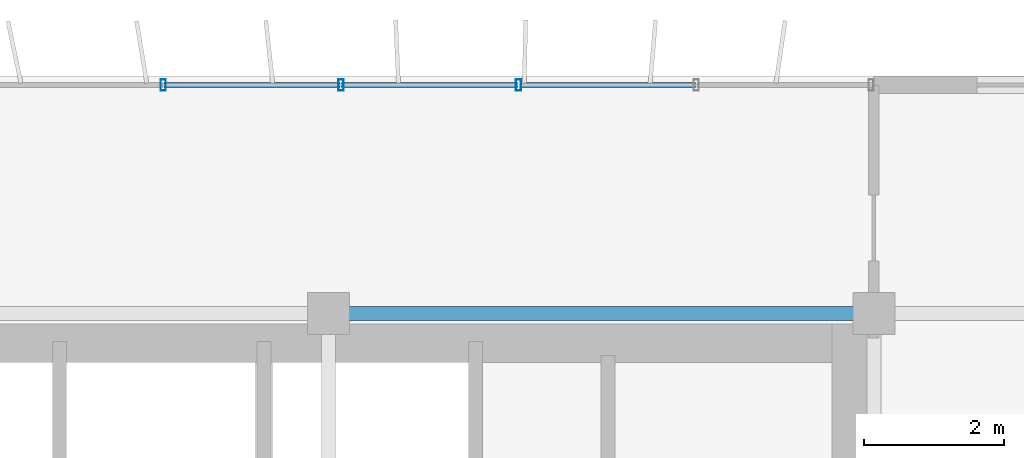
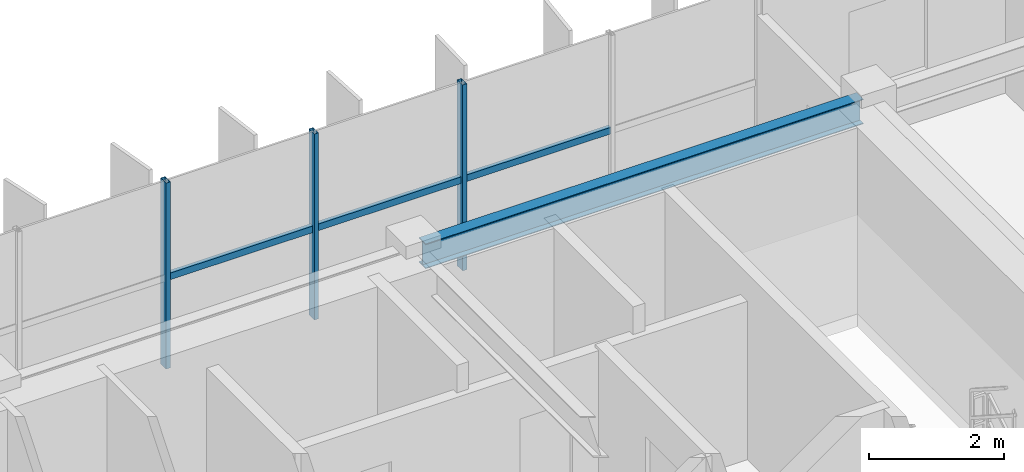
# One storey, part 12 of 21: 6 members, 1 beam, 1 element without a shape of its own.
"""IFC4 building model written with IfcOpenShell, lengths in metres."""

from ifc_helpers import new_model, si_unit, direction, frame, origin, origin_2d, place, context, subcontext, project, spatial, hollow_rectangle, i_section, extrude, source, transform, mapped, material, material_profile, profile_set, type_object, element, aggregate, save


model = new_model("IFC4")

# Units and contexts
model_context = context("Model", 3, precision=1e-05, world=origin(), true_north=direction((0.0, 1.0)))
body_context = subcontext(model_context, "Body", "Model", "MODEL_VIEW")
ifc_project = project(units=[si_unit("LENGTHUNIT", "METRE"), si_unit("AREAUNIT", "SQUARE_METRE"), si_unit("VOLUMEUNIT", "CUBIC_METRE"), si_unit("PLANEANGLEUNIT", "RADIAN"), si_unit("MASSUNIT", "GRAM", prefix="KILO")], contexts=[model_context])

# Site, building, storey
site_placement = place(None, origin())
site = spatial("IfcSite", under=ifc_project, at=site_placement, CompositionType="ELEMENT")
building_placement = place(site_placement, origin())
building = spatial("IfcBuilding", under=site, at=building_placement, Name="Trelvane Seafront Commons", CompositionType="ELEMENT")
storey_placement = place(building_placement, frame((0.0, 0.0, 252.300048828125)))
storey = spatial("IfcBuildingStorey", under=building, at=storey_placement, Name="L65", CompositionType="ELEMENT", Elevation=252.300048828125)

# Beam
ifc_material_1 = material(Name="Steel SM355 (S355)", Category="steel")
ifc_material_profile_1 = material_profile(ifc_material_1, i_section(OverallWidth=0.199951171875, OverallDepth=0.449951171875, WebThickness=0.009033203125, FlangeThickness=0.013916015625, at=origin_2d()), Name="H-450x200x9x14")
ifc_profile_set_1 = profile_set([ifc_material_profile_1], Name="Steel SM355 (S355)")
beam_type = type_object("IfcBeamType", Name="STR-SPD-H450", PredefinedType="SPANDREL", material=ifc_profile_set_1)
shared_shape_1 = source(origin(), body_context, "Body", "SweptSolid", [
    extrude(i_section(OverallWidth=0.199951171875, OverallDepth=0.449951171875, WebThickness=0.009033203125, FlangeThickness=0.013916015625, at=origin_2d()), origin(), (0.0, 0.0, 1.0), 7.5),
])
beam_placement = place(storey_placement, frame((51.14990234375, 45.10009765625, 3.14501953125), z_axis=(1.0, 0.0, 0.0), x_axis=(0.0, 1.0, 0.0)))
element("IfcBeam", 1, at=beam_placement, inside=storey, type_object=beam_type, Name="L65 Primary Girder G-27", PredefinedType="SPANDREL", context=body_context, shape_type="MappedRepresentation", body=[
    mapped(shared_shape_1, transform((0.0, 0.0, 0.0), x_axis=(1.0, 0.0, 0.0), y_axis=(0.0, 1.0, 0.0), z_axis=(0.0, 0.0, 1.0), scale=1.0)),
])

# Curtain wall, members
ifc_material_2 = material(Name="Anodised pale-silver aluminium", Category="aluminium")
curtain_wall_type = type_object("IfcCurtainWallType", Name="ARCH-CW5-UPTOWER", PredefinedType="NOTDEFINED", material=ifc_material_2)
curtain_wall_placement = place(storey_placement, origin())
curtain_wall = element("IfcCurtainWall", 2, at=curtain_wall_placement, inside=storey, type_object=curtain_wall_type, Name="CW-L65-0109", PredefinedType="NOTDEFINED")
ifc_material_profile_2 = material_profile(ifc_material_2, hollow_rectangle(XDim=0.070068359375, YDim=0.1201171875, WallThickness=0.00390625, at=origin_2d()), Name="TRAN-70x120x4")
ifc_profile_set_2 = profile_set([ifc_material_profile_2], Name="Anodised pale-silver aluminium")
member_type_1 = type_object("IfcMemberType", Name="ARCH-CW-TRAN-120", PredefinedType="USERDEFINED", material=ifc_profile_set_2)
shared_shape_2 = source(origin(), body_context, "Body", "SweptSolid", [
    extrude(hollow_rectangle(XDim=0.070068359375, YDim=0.1201171875, WallThickness=0.00390625, at=origin_2d()), origin(), (0.0, 0.0, 1.0), 2.51708984375),
])
member_1_placement = place(storey_placement, frame((51.1884765625, 48.3701171875, 1.617919921875), z_axis=(1.0, 0.0, 0.0), x_axis=(0.0, 1.0, 0.0)))
member_1 = element("IfcMember", 3, at=member_1_placement, type_object=member_type_1, Name="CW-L65-0109-T14", ObjectType="TRANSOM", PredefinedType="USERDEFINED", context=body_context, shape_type="MappedRepresentation", body=[
    mapped(shared_shape_2, transform((0.0, 0.0, 0.0), x_axis=(1.0, 0.0, 0.0), y_axis=(0.0, 1.0, 0.0), z_axis=(0.0, 0.0, 1.0), scale=1.0)),
])
shared_shape_3 = source(origin(), body_context, "Body", "SweptSolid", [
    extrude(hollow_rectangle(XDim=0.070068359375, YDim=0.1201171875, WallThickness=0.00390625, at=origin_2d()), origin(), (0.0, 0.0, 1.0), 2.517333984375),
])
member_2_placement = place(storey_placement, frame((48.647216796875, 48.3701171875, 1.617919921875), z_axis=(1.0, 0.0, 0.0), x_axis=(0.0, 1.0, 0.0)))
member_2 = element("IfcMember", 4, at=member_2_placement, type_object=member_type_1, Name="CW-L65-0109-T13", ObjectType="TRANSOM", PredefinedType="USERDEFINED", context=body_context, shape_type="MappedRepresentation", body=[
    mapped(shared_shape_3, transform((0.0, 0.0, 0.0), x_axis=(1.0, 0.0, 0.0), y_axis=(0.0, 1.0, 0.0), z_axis=(0.0, 0.0, 1.0), scale=1.0)),
])
member_3_placement = place(storey_placement, frame((53.7294921875, 48.3701171875, 1.617919921875), z_axis=(1.0, 0.0, 0.0), x_axis=(0.0, 1.0, 0.0)))
member_3 = element("IfcMember", 5, at=member_3_placement, type_object=member_type_1, Name="CW-L65-0109-T15", ObjectType="TRANSOM", PredefinedType="USERDEFINED", context=body_context, shape_type="MappedRepresentation", body=[
    mapped(shared_shape_3, transform((0.0, 0.0, 0.0), x_axis=(1.0, 0.0, 0.0), y_axis=(0.0, 1.0, 0.0), z_axis=(0.0, 0.0, 1.0), scale=1.0)),
])
ifc_material_profile_3 = material_profile(ifc_material_2, hollow_rectangle(XDim=0.074951171875, YDim=0.159912109375, WallThickness=0.00390625, at=origin_2d()), Name="MULL-75x160x4")
ifc_profile_set_3 = profile_set([ifc_material_profile_3], Name="Anodised pale-silver aluminium")
member_type_2 = type_object("IfcMemberType", Name="ARCH-CW-MULL-160", PredefinedType="MULLION", material=ifc_profile_set_3)
shared_shape_4 = source(origin(), body_context, "Body", "SweptSolid", [
    extrude(hollow_rectangle(XDim=0.074951171875, YDim=0.159912109375, WallThickness=0.00390625, at=origin_2d()), origin(), (0.0, 0.0, 1.0), 3.369873046875),
])
member_4_placement = place(storey_placement, frame((48.63525390625, 48.3701171875, 0.0), z_axis=(0.0, 0.0, 1.0), x_axis=(1.0, 0.0, 0.0)))
member_4 = element("IfcMember", 6, at=member_4_placement, type_object=member_type_2, Name="CW-L65-0109-M13", PredefinedType="MULLION", context=body_context, shape_type="MappedRepresentation", body=[
    mapped(shared_shape_4, transform((0.0, 0.0, 0.0), x_axis=(1.0, 0.0, 0.0), y_axis=(0.0, 1.0, 0.0), z_axis=(0.0, 0.0, 1.0), scale=1.0)),
])
member_5_placement = place(storey_placement, frame((51.176513671875, 48.3701171875, 0.0), z_axis=(0.0, 0.0, 1.0), x_axis=(1.0, 0.0, 0.0)))
member_5 = element("IfcMember", 7, at=member_5_placement, type_object=member_type_2, Name="CW-L65-0109-M14", PredefinedType="MULLION", context=body_context, shape_type="MappedRepresentation", body=[
    mapped(shared_shape_4, transform((0.0, 0.0, 0.0), x_axis=(1.0, 0.0, 0.0), y_axis=(0.0, 1.0, 0.0), z_axis=(0.0, 0.0, 1.0), scale=1.0)),
])
member_6_placement = place(storey_placement, frame((53.717529296875, 48.3701171875, 0.0), z_axis=(0.0, 0.0, 1.0), x_axis=(1.0, 0.0, 0.0)))
member_6 = element("IfcMember", 8, at=member_6_placement, type_object=member_type_2, Name="CW-L65-0109-M15", PredefinedType="MULLION", context=body_context, shape_type="MappedRepresentation", body=[
    mapped(shared_shape_4, transform((0.0, 0.0, 0.0), x_axis=(1.0, 0.0, 0.0), y_axis=(0.0, 1.0, 0.0), z_axis=(0.0, 0.0, 1.0), scale=1.0)),
])
aggregate(curtain_wall, [member_4, member_5, member_6, member_2, member_1, member_3])

save(model, "model.ifc")
